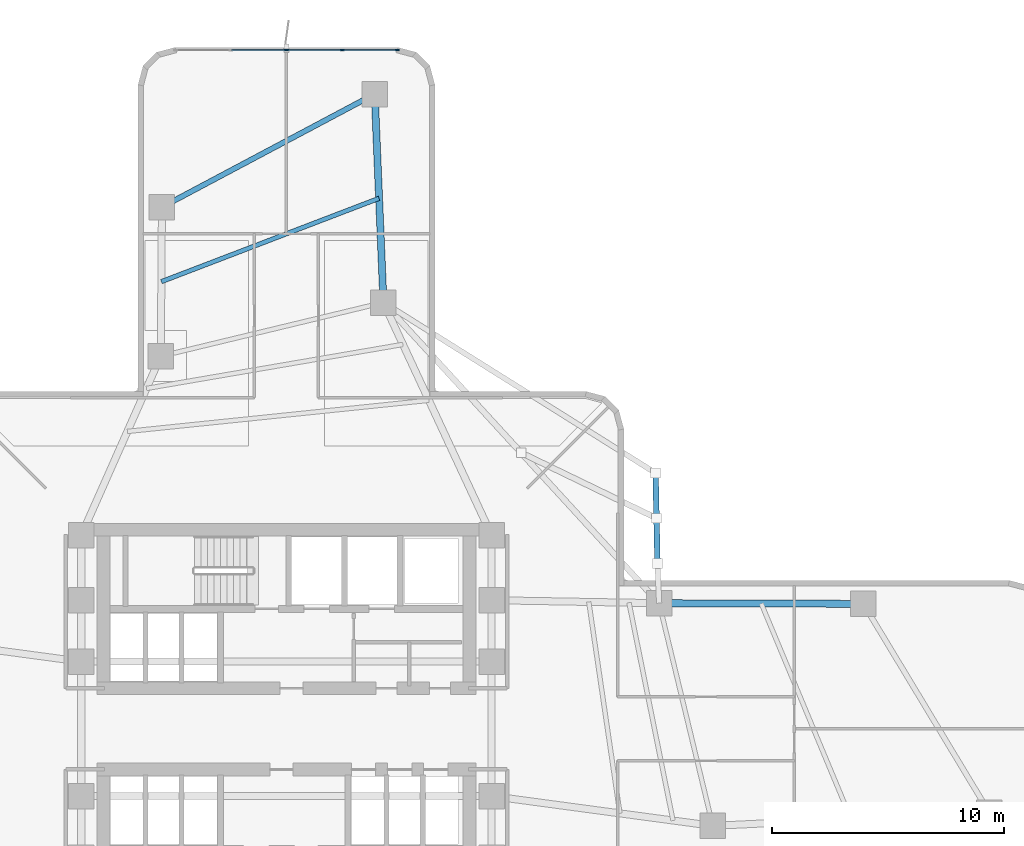
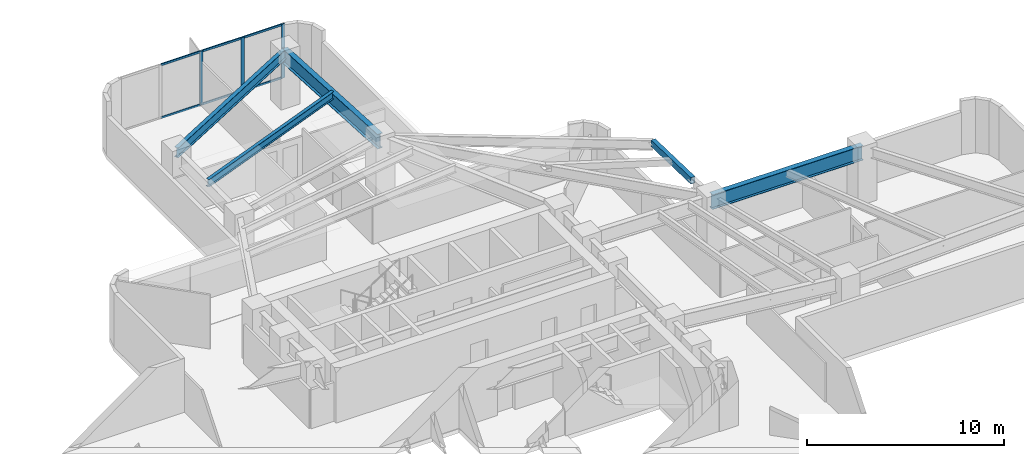
# One storey, part 6 of 14: 9 members, 5 beams, 1 element without a shape of its own.
"""IFC4 building model written with IfcOpenShell, lengths in metres."""

from ifc_helpers import new_model, si_unit, direction, frame, origin, origin_2d, place, context, subcontext, project, spatial, rectangle, hollow_rectangle, i_section, extrude, material, layer, layer_set, material_profile, profile_set, type_object, element, aggregate, save


model = new_model("IFC4")

# Units and contexts
model_context = context("Model", 3, precision=1e-05, world=origin(), true_north=direction((0.0, 1.0)))
body_context = subcontext(model_context, "Body", "Model", "MODEL_VIEW")
ifc_project = project(units=[si_unit("LENGTHUNIT", "METRE"), si_unit("AREAUNIT", "SQUARE_METRE"), si_unit("VOLUMEUNIT", "CUBIC_METRE"), si_unit("PLANEANGLEUNIT", "RADIAN"), si_unit("MASSUNIT", "GRAM", prefix="KILO")], contexts=[model_context])

# Site, building, storey
site_placement = place(None, origin())
site = spatial("IfcSite", under=ifc_project, at=site_placement, CompositionType="ELEMENT")
building_placement = place(site_placement, origin())
building = spatial("IfcBuilding", under=site, at=building_placement, Name="Solmarez Civic Tower", CompositionType="ELEMENT")
storey_placement = place(building_placement, frame((0.0, 0.0, 31.679931640625)))
storey = spatial("IfcBuildingStorey", under=building, at=storey_placement, Name="L07", CompositionType="ELEMENT", Elevation=31.679931640625)

# Beams
ifc_material_1 = material(Name="Steel S355", Category="steel")
ifc_material_profile_1 = material_profile(ifc_material_1, i_section(OverallWidth=0.19189453125, OverallDepth=0.462890625, WebThickness=0.010498046875, FlangeThickness=0.017578125, at=origin_2d()), Name="W18X60")
ifc_profile_set_1 = profile_set([ifc_material_profile_1], Name="Steel S355")
beam_type_1 = type_object("IfcBeamType", Name="BM-JS-W18X60", PredefinedType="JOIST", material=ifc_profile_set_1)
beam_1_placement = place(storey_placement, frame((3.9951171875, 22.886962890625, 3.109130859375), z_axis=(-0.933878315551, -0.357590955903, 0.0), x_axis=(0.357590955903, -0.933878315551, 0.0)))
element("IfcBeam", 1, at=beam_1_placement, inside=storey, type_object=beam_type_1, Name="L07 Secondary Floor Joist JS-L07-NA-M2", PredefinedType="JOIST", context=body_context, shape_type="SweptSolid", body=[
    extrude(i_section(OverallWidth=0.19189453125, OverallDepth=0.462890625, WebThickness=0.010498046875, FlangeThickness=0.017578125, at=origin_2d()), origin(), (0.0, 0.0, 1.0), 10.05615234375),
])
ifc_material_profile_2 = material_profile(ifc_material_1, i_section(OverallWidth=0.303955078125, OverallDepth=0.910888671875, WebThickness=0.015869140625, FlangeThickness=0.02392578125, at=origin_2d()), Name="W36X150")
ifc_profile_set_2 = profile_set([ifc_material_profile_2], Name="Steel S355")
beam_type_2 = type_object("IfcBeamType", Name="BM-PR-W36X150", PredefinedType="BEAM", material=ifc_profile_set_2)
beam_2_placement = place(storey_placement, frame((16.075927734375, 5.4208984375, 2.885009765625), z_axis=(0.99999501223, -0.003158403928, 0.0), x_axis=(0.003158403928, 0.99999501223, 0.0)))
element("IfcBeam", 2, at=beam_2_placement, inside=storey, type_object=beam_type_2, Name="L07 Primary Floor Beam BM-L07-EA-R2B", PredefinedType="BEAM", context=body_context, shape_type="SweptSolid", body=[
    extrude(i_section(OverallWidth=0.303955078125, OverallDepth=0.910888671875, WebThickness=0.015869140625, FlangeThickness=0.02392578125, at=origin_2d()), origin(), (0.0, 0.0, 1.0), 8.81201171875),
])
beam_3_placement = place(storey_placement, frame((4.18408203125, 18.39111328125, 2.885009765625), z_axis=(-0.041911499832, 0.999121327058, 0.0), x_axis=(-0.999121327058, -0.041911499832, 0.0)))
element("IfcBeam", 3, at=beam_3_placement, inside=storey, type_object=beam_type_2, Name="L07 Primary Floor Beam BM-L07-NA-R2A", PredefinedType="BEAM", context=body_context, shape_type="SweptSolid", body=[
    extrude(i_section(OverallWidth=0.303955078125, OverallDepth=0.910888671875, WebThickness=0.015869140625, FlangeThickness=0.02392578125, at=origin_2d()), origin(), (0.0, 0.0, 1.0), 8.999755859375),
])
ifc_material_profile_3 = material_profile(ifc_material_1, hollow_rectangle(XDim=0.25, YDim=0.39990234375, WallThickness=0.01611328125, at=origin_2d()), Name="HSS400X250X16")
ifc_profile_set_3 = profile_set([ifc_material_profile_3], Name="Steel S355")
beam_type_3 = type_object("IfcBeamType", Name="BM-SP-HSS400X250", PredefinedType="SPANDREL", material=ifc_profile_set_3)
beam_4_placement = place(storey_placement, frame((16.00390625, 7.136962890625, 3.14013671875), z_axis=(-0.020972217891, 0.999780058851, 0.0), x_axis=(-0.999780058851, -0.020972217891, 0.0)))
element("IfcBeam", 4, at=beam_4_placement, inside=storey, type_object=beam_type_3, Name="L07 Perimeter Spandrel Beam BM-L07-BALC-NEE", PredefinedType="SPANDREL", context=body_context, shape_type="SweptSolid", body=[
    extrude(hollow_rectangle(XDim=0.25, YDim=0.39990234375, WallThickness=0.01611328125, at=origin_2d()), origin(), (0.0, 0.0, 1.0), 3.89990234375),
])
ifc_material_profile_4 = material_profile(ifc_material_1, i_section(OverallWidth=0.22900390625, OverallDepth=0.612060546875, WebThickness=0.011962890625, FlangeThickness=0.01953125, at=origin_2d()), Name="W24X84")
ifc_profile_set_4 = profile_set([ifc_material_profile_4], Name="Steel S355")
beam_type_4 = type_object("IfcBeamType", Name="BM-SP-W24X84", PredefinedType="SPANDREL", material=ifc_profile_set_4)
beam_5_placement = place(storey_placement, frame((3.806884765625, 27.383056640625, 3.0341796875), z_axis=(-0.883129404808, -0.469129464394, 0.0), x_axis=(0.469129464394, -0.883129404808, 0.0)))
element("IfcBeam", 5, at=beam_5_placement, inside=storey, type_object=beam_type_4, Name="L07 Perimeter Spandrel Beam BM-L07-NA-T2", PredefinedType="SPANDREL", context=body_context, shape_type="SweptSolid", body=[
    extrude(i_section(OverallWidth=0.22900390625, OverallDepth=0.612060546875, WebThickness=0.011962890625, FlangeThickness=0.01953125, at=origin_2d()), origin(), (0.0, 0.0, 1.0), 10.3935546875),
])

# Curtain wall, members
ifc_material_2 = material(Name="Bronze Anodised Aluminium EN AW-6063 T6", Category="aluminium")
ifc_layer = layer(ifc_material_2, 0.18505859375)
ifc_layer_set = layer_set([ifc_layer], Name="Bronze Anodised Aluminium EN AW-6063 T6")
curtain_wall_type = type_object("IfcCurtainWallType", Name="CW-SYS-2", PredefinedType="NOTDEFINED", material=ifc_layer_set)
curtain_wall_placement = place(storey_placement, origin())
curtain_wall = element("IfcCurtainWall", 6, at=curtain_wall_placement, inside=storey, type_object=curtain_wall_type, Name="L07 Stick-Built Curtain Wall 2", PredefinedType="NOTDEFINED")
ifc_material_profile_5 = material_profile(ifc_material_2, rectangle(XDim=0.070068359375, YDim=0.179931640625, at=origin_2d()), Name="CWM-70X180")
ifc_profile_set_5 = profile_set([ifc_material_profile_5], Name="Bronze Anodised Aluminium EN AW-6063 T6")
member_type_1 = type_object("IfcMemberType", Name="CWM-TYPE-2", PredefinedType="MULLION", material=ifc_profile_set_5)
member_1_placement = place(storey_placement, frame((0.0, 29.280029296875, 0.0), z_axis=(0.0, 0.0, 1.0), x_axis=(0.0, 1.0, 0.0)))
member_1 = element("IfcMember", 7, at=member_1_placement, type_object=member_type_1, Name="CWS2 mullion 3", PredefinedType="MULLION", context=body_context, shape_type="SweptSolid", body=[
    extrude(rectangle(XDim=0.070068359375, YDim=0.179931640625, at=origin_2d()), origin(), (0.0, 0.0, 1.0), 3.340087890625),
])
member_2_placement = place(storey_placement, frame((2.404541015625, 29.280029296875, 0.0), z_axis=(0.0, 0.0, 1.0), x_axis=(0.0, 1.0, 0.0)))
member_2 = element("IfcMember", 8, at=member_2_placement, type_object=member_type_1, Name="CWS2 mullion 4", PredefinedType="MULLION", context=body_context, shape_type="SweptSolid", body=[
    extrude(rectangle(XDim=0.070068359375, YDim=0.179931640625, at=origin_2d()), origin(), (0.0, 0.0, 1.0), 3.340087890625),
])
member_3_placement = place(storey_placement, frame((4.77392578125, 29.280029296875, 0.0), z_axis=(0.0, 0.0, 1.0), x_axis=(0.0, 1.0, 0.0)))
member_3 = element("IfcMember", 9, at=member_3_placement, type_object=member_type_1, Name="CWS2 mullion 5", PredefinedType="MULLION", context=body_context, shape_type="SweptSolid", body=[
    extrude(rectangle(XDim=0.070068359375, YDim=0.179931640625, at=origin_2d()), origin(), (0.0, 0.0, 1.0), 3.340087890625),
])
ifc_material_profile_6 = material_profile(ifc_material_2, rectangle(XDim=0.06494140625, YDim=0.125, at=origin_2d()), Name="CWT-65X125")
ifc_profile_set_6 = profile_set([ifc_material_profile_6], Name="Bronze Anodised Aluminium EN AW-6063 T6")
member_type_2 = type_object("IfcMemberType", Name="CWT-TYPE-2", PredefinedType="USERDEFINED", material=ifc_profile_set_6)
member_4_placement = place(storey_placement, frame((-2.369384765625, 29.280029296875, 0.032470703125), z_axis=(1.0, 0.0, 0.0), x_axis=(0.0, 1.0, 0.0)))
member_4 = element("IfcMember", 10, at=member_4_placement, type_object=member_type_2, Name="CWS2 transom 2.1", ObjectType="TRANSOM", PredefinedType="USERDEFINED", context=body_context, shape_type="SweptSolid", body=[
    extrude(rectangle(XDim=0.06494140625, YDim=0.125, at=origin_2d()), origin(), (0.0, 0.0, 1.0), 2.33447265625),
])
member_5_placement = place(storey_placement, frame((-2.369384765625, 29.280029296875, 3.3076171875), z_axis=(1.0, 0.0, 0.0), x_axis=(0.0, 1.0, 0.0)))
member_5 = element("IfcMember", 11, at=member_5_placement, type_object=member_type_2, Name="CWS2 transom 2.2", ObjectType="TRANSOM", PredefinedType="USERDEFINED", context=body_context, shape_type="SweptSolid", body=[
    extrude(rectangle(XDim=0.06494140625, YDim=0.125, at=origin_2d()), origin(), (0.0, 0.0, 1.0), 2.33447265625),
])
member_6_placement = place(storey_placement, frame((0.034912109375, 29.280029296875, 0.032470703125), z_axis=(1.0, 0.0, 0.0), x_axis=(0.0, 1.0, 0.0)))
member_6 = element("IfcMember", 12, at=member_6_placement, type_object=member_type_2, Name="CWS2 transom 3.1", ObjectType="TRANSOM", PredefinedType="USERDEFINED", context=body_context, shape_type="SweptSolid", body=[
    extrude(rectangle(XDim=0.06494140625, YDim=0.125, at=origin_2d()), origin(), (0.0, 0.0, 1.0), 2.33447265625),
])
member_7_placement = place(storey_placement, frame((0.034912109375, 29.280029296875, 3.3076171875), z_axis=(1.0, 0.0, 0.0), x_axis=(0.0, 1.0, 0.0)))
member_7 = element("IfcMember", 13, at=member_7_placement, type_object=member_type_2, Name="CWS2 transom 3.2", ObjectType="TRANSOM", PredefinedType="USERDEFINED", context=body_context, shape_type="SweptSolid", body=[
    extrude(rectangle(XDim=0.06494140625, YDim=0.125, at=origin_2d()), origin(), (0.0, 0.0, 1.0), 2.33447265625),
])
member_8_placement = place(storey_placement, frame((2.439453125, 29.280029296875, 0.032470703125), z_axis=(1.0, 0.0, 0.0), x_axis=(0.0, 1.0, 0.0)))
member_8 = element("IfcMember", 14, at=member_8_placement, type_object=member_type_2, Name="CWS2 transom 4.1", ObjectType="TRANSOM", PredefinedType="USERDEFINED", context=body_context, shape_type="SweptSolid", body=[
    extrude(rectangle(XDim=0.06494140625, YDim=0.125, at=origin_2d()), origin(), (0.0, 0.0, 1.0), 2.299560546875),
])
member_9_placement = place(storey_placement, frame((2.439453125, 29.280029296875, 3.3076171875), z_axis=(1.0, 0.0, 0.0), x_axis=(0.0, 1.0, 0.0)))
member_9 = element("IfcMember", 15, at=member_9_placement, type_object=member_type_2, Name="CWS2 transom 4.2", ObjectType="TRANSOM", PredefinedType="USERDEFINED", context=body_context, shape_type="SweptSolid", body=[
    extrude(rectangle(XDim=0.06494140625, YDim=0.125, at=origin_2d()), origin(), (0.0, 0.0, 1.0), 2.299560546875),
])
aggregate(curtain_wall, [member_1, member_2, member_3, member_4, member_5, member_6, member_7, member_8, member_9])

save(model, "model.ifc")
